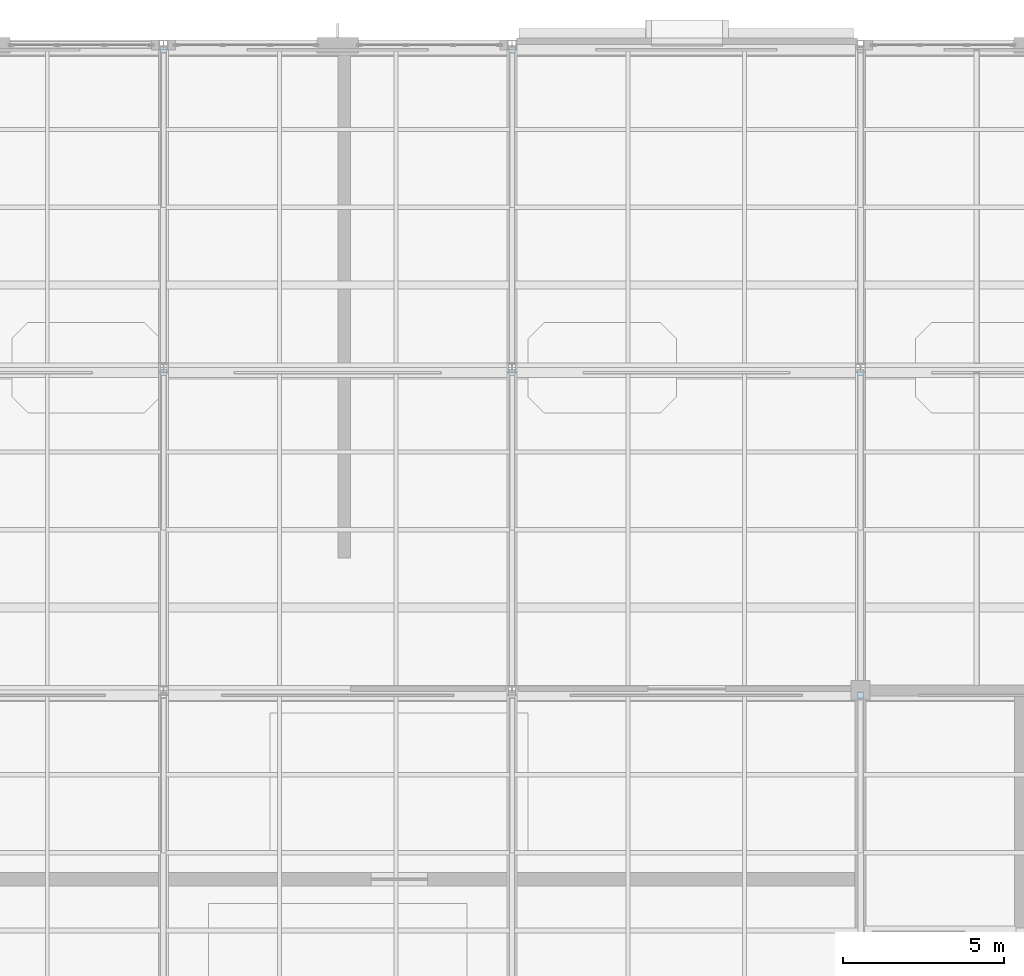
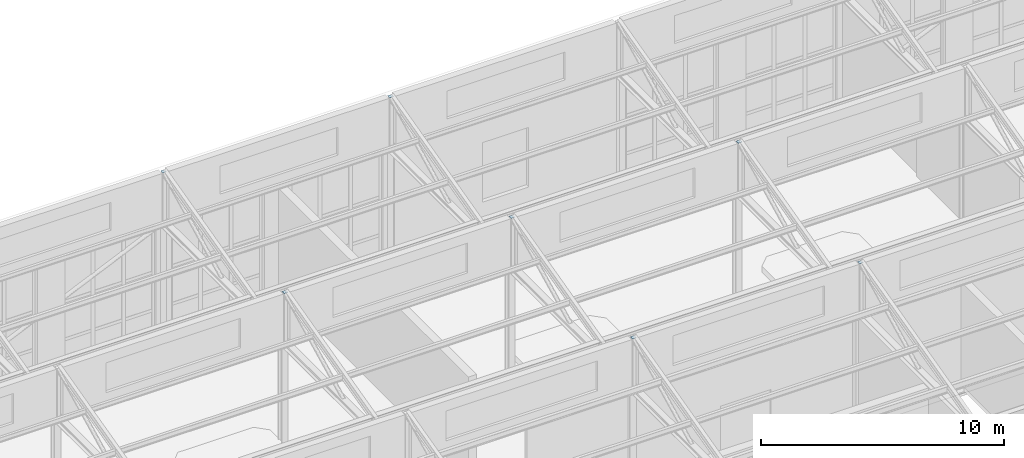
# One storey, part 36 of 49: 7 plates.
"""IFC4 building model written with IfcOpenShell, lengths in metres."""

from ifc_helpers import new_model, si_unit, direction, frame, origin, origin_2d, place, context, subcontext, project, spatial, rectangle, extrude, material, layer, layer_set, type_object, element, save


model = new_model("IFC4")

# Units and contexts
model_context = context("Model", 3, precision=1e-05, world=origin(), true_north=direction((0.0, 1.0)))
body_context = subcontext(model_context, "Body", "Model", "MODEL_VIEW")
ifc_project = project(units=[si_unit("LENGTHUNIT", "METRE"), si_unit("AREAUNIT", "SQUARE_METRE"), si_unit("VOLUMEUNIT", "CUBIC_METRE"), si_unit("PLANEANGLEUNIT", "RADIAN"), si_unit("MASSUNIT", "GRAM", prefix="KILO")], contexts=[model_context])

# Site, building, storey
site_placement = place(None, origin())
site = spatial("IfcSite", under=ifc_project, at=site_placement, CompositionType="ELEMENT")
building_placement = place(site_placement, origin())
building = spatial("IfcBuilding", under=site, at=building_placement, Name="Tasgan Crest Museum", CompositionType="ELEMENT")
storey_placement = place(building_placement, frame((0.0, 0.0, 28.800048828125)))
storey = spatial("IfcBuildingStorey", under=building, at=storey_placement, Name="L05", CompositionType="ELEMENT", Elevation=28.800048828125)

# Plates
ifc_material = material(Name="Steel S355K2", Category="steel")
ifc_layer = layer(ifc_material, 0.179931640625, Name="PL-CAP-180x180x10")
ifc_layer_set = layer_set([ifc_layer], Name="Steel S355K2")
plate_type = type_object("IfcPlateType", Name="PL-CAP-180x180x10", PredefinedType="USERDEFINED", material=ifc_layer_set)
for number, where, z_axis, x_axis, name in (
    (1, (43.199951171875, 91.85009765625, 7.7998046875), (0.0, 0.0, 1.0), (1.0, 0.0, 0.0), "End plate Roof truss north post B1 5 end B"),
    (2, (54.0, 91.85009765625, 7.7998046875), (0.0, 0.0, 1.0), (1.0, 0.0, 0.0), "End plate Roof truss north post B1 6 end B"),
    (3, (32.39990234375, 101.85009765625, 7.7998046875), (0.0, 0.0, 1.0), (1.0, 0.0, 0.0), "End plate Roof truss north post B2 4 end B"),
    (4, (43.199951171875, 101.85009765625, 7.7998046875), (0.0, 0.0, 1.0), (1.0, 0.0, 0.0), "End plate Roof truss north post B2 5 end B"),
    (5, (54.0, 101.85009765625, 7.7998046875), (0.0, 0.0, 1.0), (1.0, 0.0, 0.0), "End plate Roof truss north post B2 6 end B"),
    (6, (32.39990234375, 111.85009765625, 7.7998046875), (0.0, 0.0, 1.0), (1.0, 0.0, 0.0), "End plate Roof truss north post B3 4 end B"),
    (7, (43.199951171875, 111.85009765625, 7.7998046875), (0.0, 0.0, 1.0), (1.0, 0.0, 0.0), "End plate Roof truss north post B3 5 end B"),
):
    element("IfcPlate", number, at=place(storey_placement, frame(where, z_axis=z_axis, x_axis=x_axis)), inside=storey, type_object=plate_type, Name=name, ObjectType="END PLATE", PredefinedType="USERDEFINED", context=body_context, shape_type="SweptSolid", body=[
        extrude(rectangle(XDim=0.179931640625, YDim=0.179931640625, at=origin_2d()), origin(), (0.0, 0.0, 1.0), 0.010009765625),
    ])

save(model, "model.ifc")
